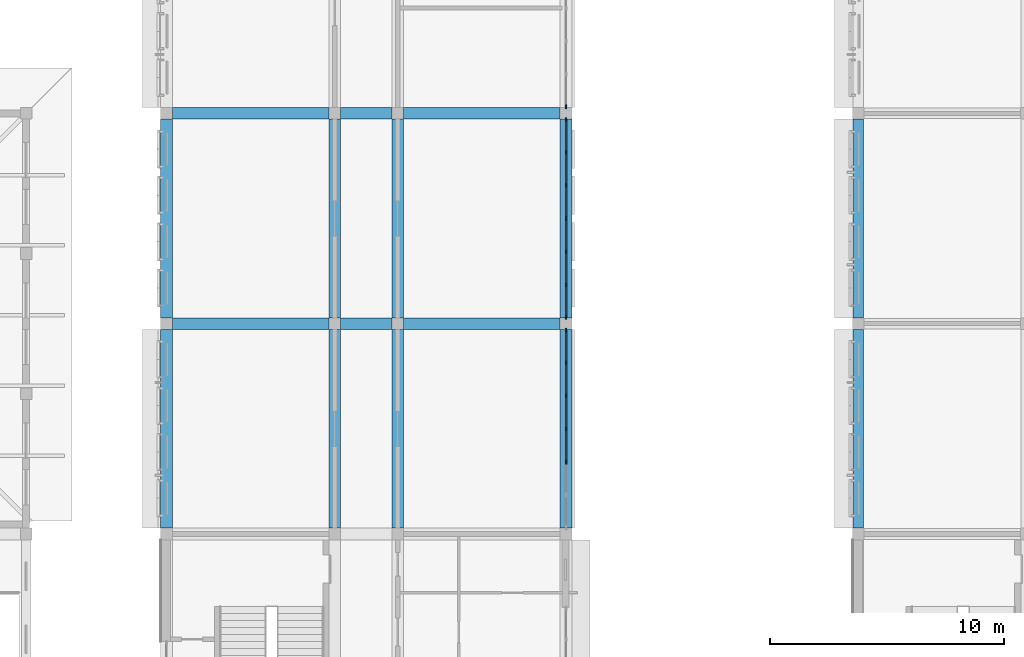
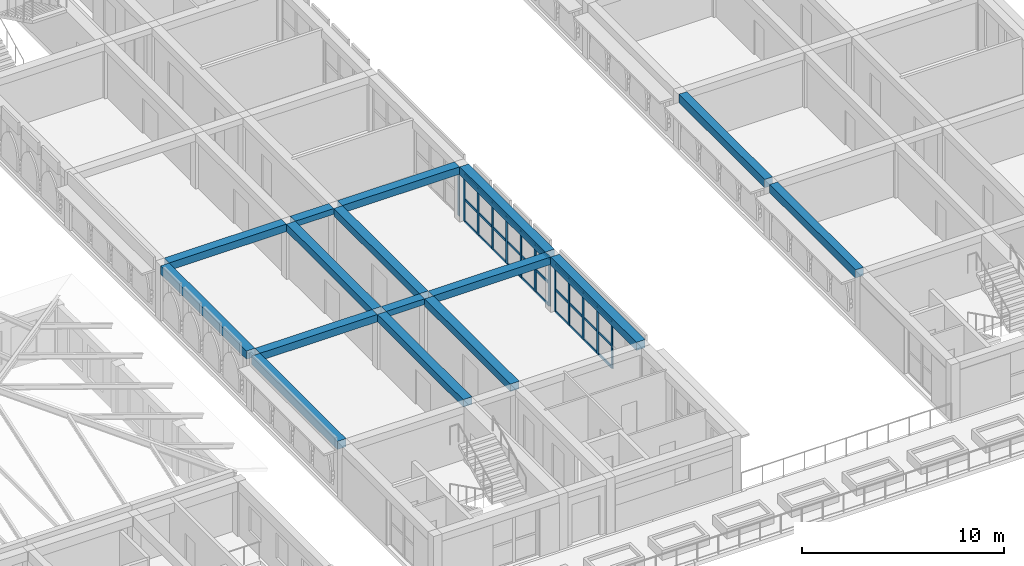
# One storey, part 16 of 82: 43 members, 16 beams, 3 elements without a shape of their own.
"""IFC4 building model written with IfcOpenShell, lengths in metres."""

from ifc_helpers import new_model, si_unit, direction, frame, origin, origin_2d, place, context, subcontext, project, spatial, rectangle, extrude, material, layer, layer_set, material_profile, profile_set, type_object, element, aggregate, save


model = new_model("IFC4")

# Units and contexts
model_context = context("Model", 3, precision=1e-05, world=origin(), true_north=direction((0.0, 1.0)))
body_context = subcontext(model_context, "Body", "Model", "MODEL_VIEW")
ifc_project = project(units=[si_unit("LENGTHUNIT", "METRE"), si_unit("AREAUNIT", "SQUARE_METRE"), si_unit("VOLUMEUNIT", "CUBIC_METRE"), si_unit("PLANEANGLEUNIT", "RADIAN"), si_unit("MASSUNIT", "GRAM", prefix="KILO")], contexts=[model_context])

# Site, building, storey
site_placement = place(None, origin())
site = spatial("IfcSite", under=ifc_project, at=site_placement, CompositionType="ELEMENT")
building_placement = place(site_placement, origin())
building = spatial("IfcBuilding", under=site, at=building_placement, Name="Elbe Cascade School", CompositionType="ELEMENT")
storey_placement = place(building_placement, frame((0.0, 0.0, 4.5)))
storey = spatial("IfcBuildingStorey", under=building, at=storey_placement, Name="L01", CompositionType="ELEMENT", Elevation=4.5)

# Curtain wall, members
ifc_material_1 = material(Name="Aluminium frame with double glazing, bronze anodised", Category="aluminium")
ifc_layer = layer(ifc_material_1, 0.179931640625)
ifc_layer_set = layer_set([ifc_layer], Name="Aluminium frame with double glazing, bronze anodised")
curtain_wall_type = type_object("IfcCurtainWallType", Name="Bars envelope Curtain wall, aluminium, bronze anodised, wide run", PredefinedType="NOTDEFINED", material=ifc_layer_set)
curtain_wall_1_placement = place(storey_placement, origin())
curtain_wall_1 = element("IfcCurtainWall", 1, at=curtain_wall_1_placement, inside=storey, type_object=curtain_wall_type, Name="Curtain wall CW5 A.L01.e2", PredefinedType="NOTDEFINED")
ifc_material_2 = material(Name="Aluminium mullion, bronze anodised", Category="aluminium")
ifc_material_profile_1 = material_profile(ifc_material_2, rectangle(XDim=0.06005859375, YDim=0.179931640625, at=origin_2d()), Name="Bars envelope Curtain wall mullion 60 x 180, aluminium, wide run")
ifc_profile_set_1 = profile_set([ifc_material_profile_1], Name="Aluminium mullion, bronze anodised")
member_type_1 = type_object("IfcMemberType", Name="Bars envelope Curtain wall mullion 60 x 180, aluminium, wide run", PredefinedType="MULLION", material=ifc_profile_set_1)
member_1_placement = place(storey_placement, frame((86.10009765625, 23.719970703125, 0.0), z_axis=(0.0, 0.0, 1.0), x_axis=(1.0, 0.0, 0.0)))
member_1 = element("IfcMember", 2, at=member_1_placement, type_object=member_type_1, Name="CW5 mullion 1", PredefinedType="MULLION", context=body_context, shape_type="SweptSolid", body=[
    extrude(rectangle(XDim=0.06005859375, YDim=0.179931640625, at=origin_2d()), origin(), (0.0, 0.0, 1.0), 2.85009765625),
])
member_2_placement = place(storey_placement, frame((86.10009765625, 22.333251953125, 0.0), z_axis=(0.0, 0.0, 1.0), x_axis=(1.0, 0.0, 0.0)))
member_2 = element("IfcMember", 3, at=member_2_placement, type_object=member_type_1, Name="CW5 mullion 2", PredefinedType="MULLION", context=body_context, shape_type="SweptSolid", body=[
    extrude(rectangle(XDim=0.06005859375, YDim=0.179931640625, at=origin_2d()), origin(), (0.0, 0.0, 1.0), 2.85009765625),
])
member_3_placement = place(storey_placement, frame((86.10009765625, 20.916748046875, 0.0), z_axis=(0.0, 0.0, 1.0), x_axis=(1.0, 0.0, 0.0)))
member_3 = element("IfcMember", 4, at=member_3_placement, type_object=member_type_1, Name="CW5 mullion 3", PredefinedType="MULLION", context=body_context, shape_type="SweptSolid", body=[
    extrude(rectangle(XDim=0.06005859375, YDim=0.179931640625, at=origin_2d()), origin(), (0.0, 0.0, 1.0), 2.85009765625),
])
member_4_placement = place(storey_placement, frame((86.10009765625, 19.5, 0.0), z_axis=(0.0, 0.0, 1.0), x_axis=(1.0, 0.0, 0.0)))
member_4 = element("IfcMember", 5, at=member_4_placement, type_object=member_type_1, Name="CW5 mullion 4", PredefinedType="MULLION", context=body_context, shape_type="SweptSolid", body=[
    extrude(rectangle(XDim=0.06005859375, YDim=0.179931640625, at=origin_2d()), origin(), (0.0, 0.0, 1.0), 2.85009765625),
])
member_5_placement = place(storey_placement, frame((86.10009765625, 18.083251953125, 0.0), z_axis=(0.0, 0.0, 1.0), x_axis=(1.0, 0.0, 0.0)))
member_5 = element("IfcMember", 6, at=member_5_placement, type_object=member_type_1, Name="CW5 mullion 5", PredefinedType="MULLION", context=body_context, shape_type="SweptSolid", body=[
    extrude(rectangle(XDim=0.06005859375, YDim=0.179931640625, at=origin_2d()), origin(), (0.0, 0.0, 1.0), 2.85009765625),
])

curtain_wall_2_placement = place(storey_placement, origin())
curtain_wall_2 = element("IfcCurtainWall", 7, at=curtain_wall_2_placement, inside=storey, type_object=curtain_wall_type, Name="Curtain wall CW5 A.L01.e3", PredefinedType="NOTDEFINED")
member_6_placement = place(storey_placement, frame((86.10009765625, 32.719970703125, 0.0), z_axis=(0.0, 0.0, 1.0), x_axis=(1.0, 0.0, 0.0)))
member_6 = element("IfcMember", 8, at=member_6_placement, type_object=member_type_1, Name="CW5 mullion 1", PredefinedType="MULLION", context=body_context, shape_type="SweptSolid", body=[
    extrude(rectangle(XDim=0.06005859375, YDim=0.179931640625, at=origin_2d()), origin(), (0.0, 0.0, 1.0), 2.85009765625),
])
member_7_placement = place(storey_placement, frame((86.10009765625, 31.333251953125, 0.0), z_axis=(0.0, 0.0, 1.0), x_axis=(1.0, 0.0, 0.0)))
member_7 = element("IfcMember", 9, at=member_7_placement, type_object=member_type_1, Name="CW5 mullion 2", PredefinedType="MULLION", context=body_context, shape_type="SweptSolid", body=[
    extrude(rectangle(XDim=0.06005859375, YDim=0.179931640625, at=origin_2d()), origin(), (0.0, 0.0, 1.0), 2.85009765625),
])
member_8_placement = place(storey_placement, frame((86.10009765625, 29.916748046875, 0.0), z_axis=(0.0, 0.0, 1.0), x_axis=(1.0, 0.0, 0.0)))
member_8 = element("IfcMember", 10, at=member_8_placement, type_object=member_type_1, Name="CW5 mullion 3", PredefinedType="MULLION", context=body_context, shape_type="SweptSolid", body=[
    extrude(rectangle(XDim=0.06005859375, YDim=0.179931640625, at=origin_2d()), origin(), (0.0, 0.0, 1.0), 2.85009765625),
])
member_9_placement = place(storey_placement, frame((86.10009765625, 28.5, 0.0), z_axis=(0.0, 0.0, 1.0), x_axis=(1.0, 0.0, 0.0)))
member_9 = element("IfcMember", 11, at=member_9_placement, type_object=member_type_1, Name="CW5 mullion 4", PredefinedType="MULLION", context=body_context, shape_type="SweptSolid", body=[
    extrude(rectangle(XDim=0.06005859375, YDim=0.179931640625, at=origin_2d()), origin(), (0.0, 0.0, 1.0), 2.85009765625),
])
member_10_placement = place(storey_placement, frame((86.10009765625, 27.083251953125, 0.0), z_axis=(0.0, 0.0, 1.0), x_axis=(1.0, 0.0, 0.0)))
member_10 = element("IfcMember", 12, at=member_10_placement, type_object=member_type_1, Name="CW5 mullion 5", PredefinedType="MULLION", context=body_context, shape_type="SweptSolid", body=[
    extrude(rectangle(XDim=0.06005859375, YDim=0.179931640625, at=origin_2d()), origin(), (0.0, 0.0, 1.0), 2.85009765625),
])
member_11_placement = place(storey_placement, frame((86.10009765625, 25.666748046875, 0.0), z_axis=(0.0, 0.0, 1.0), x_axis=(1.0, 0.0, 0.0)))
member_11 = element("IfcMember", 13, at=member_11_placement, type_object=member_type_1, Name="CW5 mullion 6", PredefinedType="MULLION", context=body_context, shape_type="SweptSolid", body=[
    extrude(rectangle(XDim=0.06005859375, YDim=0.179931640625, at=origin_2d()), origin(), (0.0, 0.0, 1.0), 2.85009765625),
])
member_12_placement = place(storey_placement, frame((86.10009765625, 24.280029296875, 0.0), z_axis=(0.0, 0.0, 1.0), x_axis=(1.0, 0.0, 0.0)))
member_12 = element("IfcMember", 14, at=member_12_placement, type_object=member_type_1, Name="CW5 mullion 7", PredefinedType="MULLION", context=body_context, shape_type="SweptSolid", body=[
    extrude(rectangle(XDim=0.06005859375, YDim=0.179931640625, at=origin_2d()), origin(), (0.0, 0.0, 1.0), 2.85009765625),
])

# Curtain wall, member
curtain_wall_3_placement = place(storey_placement, origin())
curtain_wall_3 = element("IfcCurtainWall", 15, at=curtain_wall_3_placement, inside=storey, type_object=curtain_wall_type, Name="Curtain wall CW5 A.L01.e4", PredefinedType="NOTDEFINED")
member_13_placement = place(storey_placement, frame((86.10009765625, 33.280029296875, 0.0), z_axis=(0.0, 0.0, 1.0), x_axis=(1.0, 0.0, 0.0)))
member_13 = element("IfcMember", 16, at=member_13_placement, type_object=member_type_1, Name="CW5 mullion 7", PredefinedType="MULLION", context=body_context, shape_type="SweptSolid", body=[
    extrude(rectangle(XDim=0.06005859375, YDim=0.179931640625, at=origin_2d()), origin(), (0.0, 0.0, 1.0), 2.85009765625),
])
aggregate(curtain_wall_3, [member_13])

# Member
ifc_material_3 = material(Name="Aluminium transom, bronze anodised", Category="aluminium")
ifc_material_profile_2 = material_profile(ifc_material_3, rectangle(XDim=0.06005859375, YDim=0.14990234375, at=origin_2d()), Name="Bars envelope Curtain wall transom 60 x 150, aluminium, wide run")
ifc_profile_set_2 = profile_set([ifc_material_profile_2], Name="Aluminium transom, bronze anodised")
member_type_2 = type_object("IfcMemberType", Name="Bars envelope Curtain wall transom 60 x 150, aluminium, wide run", PredefinedType="USERDEFINED", material=ifc_profile_set_2)
member_14_placement = place(storey_placement, frame((86.10009765625, 23.68994140625, 0.030029296875), z_axis=(0.0, -1.0, 0.0), x_axis=(1.0, 0.0, 0.0)))
member_14 = element("IfcMember", 17, at=member_14_placement, type_object=member_type_2, Name="CW5 transom 1.1", ObjectType="TRANSOM", PredefinedType="USERDEFINED", context=body_context, shape_type="SweptSolid", body=[
    extrude(rectangle(XDim=0.06005859375, YDim=0.14990234375, at=origin_2d()), origin(), (0.0, 0.0, 1.0), 1.32666015625),
])

member_15_placement = place(storey_placement, frame((86.10009765625, 23.68994140625, 1.35009765625), z_axis=(0.0, -1.0, 0.0), x_axis=(1.0, 0.0, 0.0)))
member_15 = element("IfcMember", 18, at=member_15_placement, type_object=member_type_2, Name="CW5 transom 1.2", ObjectType="TRANSOM", PredefinedType="USERDEFINED", context=body_context, shape_type="SweptSolid", body=[
    extrude(rectangle(XDim=0.06005859375, YDim=0.14990234375, at=origin_2d()), origin(), (0.0, 0.0, 1.0), 1.32666015625),
])

member_16_placement = place(storey_placement, frame((86.10009765625, 23.68994140625, 2.820068359375), z_axis=(0.0, -1.0, 0.0), x_axis=(1.0, 0.0, 0.0)))
member_16 = element("IfcMember", 19, at=member_16_placement, type_object=member_type_2, Name="CW5 transom 1.3", ObjectType="TRANSOM", PredefinedType="USERDEFINED", context=body_context, shape_type="SweptSolid", body=[
    extrude(rectangle(XDim=0.06005859375, YDim=0.14990234375, at=origin_2d()), origin(), (0.0, 0.0, 1.0), 1.32666015625),
])

member_17_placement = place(storey_placement, frame((86.10009765625, 22.30322265625, 0.030029296875), z_axis=(0.0, -1.0, 0.0), x_axis=(1.0, 0.0, 0.0)))
member_17 = element("IfcMember", 20, at=member_17_placement, type_object=member_type_2, Name="CW5 transom 2.1", ObjectType="TRANSOM", PredefinedType="USERDEFINED", context=body_context, shape_type="SweptSolid", body=[
    extrude(rectangle(XDim=0.06005859375, YDim=0.14990234375, at=origin_2d()), origin(), (0.0, 0.0, 1.0), 1.3564453125),
])

member_18_placement = place(storey_placement, frame((86.10009765625, 22.30322265625, 1.35009765625), z_axis=(0.0, -1.0, 0.0), x_axis=(1.0, 0.0, 0.0)))
member_18 = element("IfcMember", 21, at=member_18_placement, type_object=member_type_2, Name="CW5 transom 2.2", ObjectType="TRANSOM", PredefinedType="USERDEFINED", context=body_context, shape_type="SweptSolid", body=[
    extrude(rectangle(XDim=0.06005859375, YDim=0.14990234375, at=origin_2d()), origin(), (0.0, 0.0, 1.0), 1.3564453125),
])

member_19_placement = place(storey_placement, frame((86.10009765625, 22.30322265625, 2.820068359375), z_axis=(0.0, -1.0, 0.0), x_axis=(1.0, 0.0, 0.0)))
member_19 = element("IfcMember", 22, at=member_19_placement, type_object=member_type_2, Name="CW5 transom 2.3", ObjectType="TRANSOM", PredefinedType="USERDEFINED", context=body_context, shape_type="SweptSolid", body=[
    extrude(rectangle(XDim=0.06005859375, YDim=0.14990234375, at=origin_2d()), origin(), (0.0, 0.0, 1.0), 1.3564453125),
])

member_20_placement = place(storey_placement, frame((86.10009765625, 20.88671875, 0.030029296875), z_axis=(0.0, -1.0, 0.0), x_axis=(1.0, 0.0, 0.0)))
member_20 = element("IfcMember", 23, at=member_20_placement, type_object=member_type_2, Name="CW5 transom 3.1", ObjectType="TRANSOM", PredefinedType="USERDEFINED", context=body_context, shape_type="SweptSolid", body=[
    extrude(rectangle(XDim=0.06005859375, YDim=0.14990234375, at=origin_2d()), origin(), (0.0, 0.0, 1.0), 1.356689453125),
])

member_21_placement = place(storey_placement, frame((86.10009765625, 20.88671875, 1.35009765625), z_axis=(0.0, -1.0, 0.0), x_axis=(1.0, 0.0, 0.0)))
member_21 = element("IfcMember", 24, at=member_21_placement, type_object=member_type_2, Name="CW5 transom 3.2", ObjectType="TRANSOM", PredefinedType="USERDEFINED", context=body_context, shape_type="SweptSolid", body=[
    extrude(rectangle(XDim=0.06005859375, YDim=0.14990234375, at=origin_2d()), origin(), (0.0, 0.0, 1.0), 1.356689453125),
])

member_22_placement = place(storey_placement, frame((86.10009765625, 20.88671875, 2.820068359375), z_axis=(0.0, -1.0, 0.0), x_axis=(1.0, 0.0, 0.0)))
member_22 = element("IfcMember", 25, at=member_22_placement, type_object=member_type_2, Name="CW5 transom 3.3", ObjectType="TRANSOM", PredefinedType="USERDEFINED", context=body_context, shape_type="SweptSolid", body=[
    extrude(rectangle(XDim=0.06005859375, YDim=0.14990234375, at=origin_2d()), origin(), (0.0, 0.0, 1.0), 1.356689453125),
])

member_23_placement = place(storey_placement, frame((86.10009765625, 19.469970703125, 0.030029296875), z_axis=(0.0, -1.0, 0.0), x_axis=(1.0, 0.0, 0.0)))
member_23 = element("IfcMember", 26, at=member_23_placement, type_object=member_type_2, Name="CW5 transom 4.1", ObjectType="TRANSOM", PredefinedType="USERDEFINED", context=body_context, shape_type="SweptSolid", body=[
    extrude(rectangle(XDim=0.06005859375, YDim=0.14990234375, at=origin_2d()), origin(), (0.0, 0.0, 1.0), 1.356689453125),
])

member_24_placement = place(storey_placement, frame((86.10009765625, 19.469970703125, 1.35009765625), z_axis=(0.0, -1.0, 0.0), x_axis=(1.0, 0.0, 0.0)))
member_24 = element("IfcMember", 27, at=member_24_placement, type_object=member_type_2, Name="CW5 transom 4.2", ObjectType="TRANSOM", PredefinedType="USERDEFINED", context=body_context, shape_type="SweptSolid", body=[
    extrude(rectangle(XDim=0.06005859375, YDim=0.14990234375, at=origin_2d()), origin(), (0.0, 0.0, 1.0), 1.356689453125),
])

member_25_placement = place(storey_placement, frame((86.10009765625, 19.469970703125, 2.820068359375), z_axis=(0.0, -1.0, 0.0), x_axis=(1.0, 0.0, 0.0)))
member_25 = element("IfcMember", 28, at=member_25_placement, type_object=member_type_2, Name="CW5 transom 4.3", ObjectType="TRANSOM", PredefinedType="USERDEFINED", context=body_context, shape_type="SweptSolid", body=[
    extrude(rectangle(XDim=0.06005859375, YDim=0.14990234375, at=origin_2d()), origin(), (0.0, 0.0, 1.0), 1.356689453125),
])

aggregate(curtain_wall_1, [member_1, member_2, member_3, member_4, member_5, member_14, member_15, member_16, member_17, member_18, member_19, member_20, member_21, member_22, member_23, member_24, member_25])

member_26_placement = place(storey_placement, frame((86.10009765625, 32.68994140625, 0.030029296875), z_axis=(0.0, -1.0, 0.0), x_axis=(1.0, 0.0, 0.0)))
member_26 = element("IfcMember", 29, at=member_26_placement, type_object=member_type_2, Name="CW5 transom 1.1", ObjectType="TRANSOM", PredefinedType="USERDEFINED", context=body_context, shape_type="SweptSolid", body=[
    extrude(rectangle(XDim=0.06005859375, YDim=0.14990234375, at=origin_2d()), origin(), (0.0, 0.0, 1.0), 1.32666015625),
])

member_27_placement = place(storey_placement, frame((86.10009765625, 32.68994140625, 1.35009765625), z_axis=(0.0, -1.0, 0.0), x_axis=(1.0, 0.0, 0.0)))
member_27 = element("IfcMember", 30, at=member_27_placement, type_object=member_type_2, Name="CW5 transom 1.2", ObjectType="TRANSOM", PredefinedType="USERDEFINED", context=body_context, shape_type="SweptSolid", body=[
    extrude(rectangle(XDim=0.06005859375, YDim=0.14990234375, at=origin_2d()), origin(), (0.0, 0.0, 1.0), 1.32666015625),
])

member_28_placement = place(storey_placement, frame((86.10009765625, 32.68994140625, 2.820068359375), z_axis=(0.0, -1.0, 0.0), x_axis=(1.0, 0.0, 0.0)))
member_28 = element("IfcMember", 31, at=member_28_placement, type_object=member_type_2, Name="CW5 transom 1.3", ObjectType="TRANSOM", PredefinedType="USERDEFINED", context=body_context, shape_type="SweptSolid", body=[
    extrude(rectangle(XDim=0.06005859375, YDim=0.14990234375, at=origin_2d()), origin(), (0.0, 0.0, 1.0), 1.32666015625),
])

member_29_placement = place(storey_placement, frame((86.10009765625, 31.30322265625, 0.030029296875), z_axis=(0.0, -1.0, 0.0), x_axis=(1.0, 0.0, 0.0)))
member_29 = element("IfcMember", 32, at=member_29_placement, type_object=member_type_2, Name="CW5 transom 2.1", ObjectType="TRANSOM", PredefinedType="USERDEFINED", context=body_context, shape_type="SweptSolid", body=[
    extrude(rectangle(XDim=0.06005859375, YDim=0.14990234375, at=origin_2d()), origin(), (0.0, 0.0, 1.0), 1.3564453125),
])

member_30_placement = place(storey_placement, frame((86.10009765625, 31.30322265625, 1.35009765625), z_axis=(0.0, -1.0, 0.0), x_axis=(1.0, 0.0, 0.0)))
member_30 = element("IfcMember", 33, at=member_30_placement, type_object=member_type_2, Name="CW5 transom 2.2", ObjectType="TRANSOM", PredefinedType="USERDEFINED", context=body_context, shape_type="SweptSolid", body=[
    extrude(rectangle(XDim=0.06005859375, YDim=0.14990234375, at=origin_2d()), origin(), (0.0, 0.0, 1.0), 1.3564453125),
])

member_31_placement = place(storey_placement, frame((86.10009765625, 31.30322265625, 2.820068359375), z_axis=(0.0, -1.0, 0.0), x_axis=(1.0, 0.0, 0.0)))
member_31 = element("IfcMember", 34, at=member_31_placement, type_object=member_type_2, Name="CW5 transom 2.3", ObjectType="TRANSOM", PredefinedType="USERDEFINED", context=body_context, shape_type="SweptSolid", body=[
    extrude(rectangle(XDim=0.06005859375, YDim=0.14990234375, at=origin_2d()), origin(), (0.0, 0.0, 1.0), 1.3564453125),
])

member_32_placement = place(storey_placement, frame((86.10009765625, 29.88671875, 0.030029296875), z_axis=(0.0, -1.0, 0.0), x_axis=(1.0, 0.0, 0.0)))
member_32 = element("IfcMember", 35, at=member_32_placement, type_object=member_type_2, Name="CW5 transom 3.1", ObjectType="TRANSOM", PredefinedType="USERDEFINED", context=body_context, shape_type="SweptSolid", body=[
    extrude(rectangle(XDim=0.06005859375, YDim=0.14990234375, at=origin_2d()), origin(), (0.0, 0.0, 1.0), 1.356689453125),
])

member_33_placement = place(storey_placement, frame((86.10009765625, 29.88671875, 1.35009765625), z_axis=(0.0, -1.0, 0.0), x_axis=(1.0, 0.0, 0.0)))
member_33 = element("IfcMember", 36, at=member_33_placement, type_object=member_type_2, Name="CW5 transom 3.2", ObjectType="TRANSOM", PredefinedType="USERDEFINED", context=body_context, shape_type="SweptSolid", body=[
    extrude(rectangle(XDim=0.06005859375, YDim=0.14990234375, at=origin_2d()), origin(), (0.0, 0.0, 1.0), 1.356689453125),
])

member_34_placement = place(storey_placement, frame((86.10009765625, 29.88671875, 2.820068359375), z_axis=(0.0, -1.0, 0.0), x_axis=(1.0, 0.0, 0.0)))
member_34 = element("IfcMember", 37, at=member_34_placement, type_object=member_type_2, Name="CW5 transom 3.3", ObjectType="TRANSOM", PredefinedType="USERDEFINED", context=body_context, shape_type="SweptSolid", body=[
    extrude(rectangle(XDim=0.06005859375, YDim=0.14990234375, at=origin_2d()), origin(), (0.0, 0.0, 1.0), 1.356689453125),
])

member_35_placement = place(storey_placement, frame((86.10009765625, 28.469970703125, 0.030029296875), z_axis=(0.0, -1.0, 0.0), x_axis=(1.0, 0.0, 0.0)))
member_35 = element("IfcMember", 38, at=member_35_placement, type_object=member_type_2, Name="CW5 transom 4.1", ObjectType="TRANSOM", PredefinedType="USERDEFINED", context=body_context, shape_type="SweptSolid", body=[
    extrude(rectangle(XDim=0.06005859375, YDim=0.14990234375, at=origin_2d()), origin(), (0.0, 0.0, 1.0), 1.356689453125),
])

member_36_placement = place(storey_placement, frame((86.10009765625, 28.469970703125, 1.35009765625), z_axis=(0.0, -1.0, 0.0), x_axis=(1.0, 0.0, 0.0)))
member_36 = element("IfcMember", 39, at=member_36_placement, type_object=member_type_2, Name="CW5 transom 4.2", ObjectType="TRANSOM", PredefinedType="USERDEFINED", context=body_context, shape_type="SweptSolid", body=[
    extrude(rectangle(XDim=0.06005859375, YDim=0.14990234375, at=origin_2d()), origin(), (0.0, 0.0, 1.0), 1.356689453125),
])

member_37_placement = place(storey_placement, frame((86.10009765625, 28.469970703125, 2.820068359375), z_axis=(0.0, -1.0, 0.0), x_axis=(1.0, 0.0, 0.0)))
member_37 = element("IfcMember", 40, at=member_37_placement, type_object=member_type_2, Name="CW5 transom 4.3", ObjectType="TRANSOM", PredefinedType="USERDEFINED", context=body_context, shape_type="SweptSolid", body=[
    extrude(rectangle(XDim=0.06005859375, YDim=0.14990234375, at=origin_2d()), origin(), (0.0, 0.0, 1.0), 1.356689453125),
])

member_38_placement = place(storey_placement, frame((86.10009765625, 27.05322265625, 0.030029296875), z_axis=(0.0, -1.0, 0.0), x_axis=(1.0, 0.0, 0.0)))
member_38 = element("IfcMember", 41, at=member_38_placement, type_object=member_type_2, Name="CW5 transom 5.1", ObjectType="TRANSOM", PredefinedType="USERDEFINED", context=body_context, shape_type="SweptSolid", body=[
    extrude(rectangle(XDim=0.06005859375, YDim=0.14990234375, at=origin_2d()), origin(), (0.0, 0.0, 1.0), 1.3564453125),
])

member_39_placement = place(storey_placement, frame((86.10009765625, 27.05322265625, 1.35009765625), z_axis=(0.0, -1.0, 0.0), x_axis=(1.0, 0.0, 0.0)))
member_39 = element("IfcMember", 42, at=member_39_placement, type_object=member_type_2, Name="CW5 transom 5.2", ObjectType="TRANSOM", PredefinedType="USERDEFINED", context=body_context, shape_type="SweptSolid", body=[
    extrude(rectangle(XDim=0.06005859375, YDim=0.14990234375, at=origin_2d()), origin(), (0.0, 0.0, 1.0), 1.3564453125),
])

member_40_placement = place(storey_placement, frame((86.10009765625, 27.05322265625, 2.820068359375), z_axis=(0.0, -1.0, 0.0), x_axis=(1.0, 0.0, 0.0)))
member_40 = element("IfcMember", 43, at=member_40_placement, type_object=member_type_2, Name="CW5 transom 5.3", ObjectType="TRANSOM", PredefinedType="USERDEFINED", context=body_context, shape_type="SweptSolid", body=[
    extrude(rectangle(XDim=0.06005859375, YDim=0.14990234375, at=origin_2d()), origin(), (0.0, 0.0, 1.0), 1.3564453125),
])

member_41_placement = place(storey_placement, frame((86.10009765625, 25.63671875, 0.030029296875), z_axis=(0.0, -1.0, 0.0), x_axis=(1.0, 0.0, 0.0)))
member_41 = element("IfcMember", 44, at=member_41_placement, type_object=member_type_2, Name="CW5 transom 6.1", ObjectType="TRANSOM", PredefinedType="USERDEFINED", context=body_context, shape_type="SweptSolid", body=[
    extrude(rectangle(XDim=0.06005859375, YDim=0.14990234375, at=origin_2d()), origin(), (0.0, 0.0, 1.0), 1.32666015625),
])

member_42_placement = place(storey_placement, frame((86.10009765625, 25.63671875, 1.35009765625), z_axis=(0.0, -1.0, 0.0), x_axis=(1.0, 0.0, 0.0)))
member_42 = element("IfcMember", 45, at=member_42_placement, type_object=member_type_2, Name="CW5 transom 6.2", ObjectType="TRANSOM", PredefinedType="USERDEFINED", context=body_context, shape_type="SweptSolid", body=[
    extrude(rectangle(XDim=0.06005859375, YDim=0.14990234375, at=origin_2d()), origin(), (0.0, 0.0, 1.0), 1.32666015625),
])

member_43_placement = place(storey_placement, frame((86.10009765625, 25.63671875, 2.820068359375), z_axis=(0.0, -1.0, 0.0), x_axis=(1.0, 0.0, 0.0)))
member_43 = element("IfcMember", 46, at=member_43_placement, type_object=member_type_2, Name="CW5 transom 6.3", ObjectType="TRANSOM", PredefinedType="USERDEFINED", context=body_context, shape_type="SweptSolid", body=[
    extrude(rectangle(XDim=0.06005859375, YDim=0.14990234375, at=origin_2d()), origin(), (0.0, 0.0, 1.0), 1.32666015625),
])

aggregate(curtain_wall_2, [member_6, member_7, member_8, member_9, member_10, member_11, member_12, member_26, member_27, member_28, member_29, member_30, member_31, member_32, member_33, member_34, member_35, member_36, member_37, member_38, member_39, member_40, member_41, member_42, member_43])

# Beams
ifc_material_4 = material(Name="Concrete C30/37", Category="concrete")
ifc_material_profile_3 = material_profile(ifc_material_4, rectangle(XDim=0.449951171875, YDim=0.5, at=origin_2d()), Name="RC 450x500")
ifc_profile_set_3 = profile_set([ifc_material_profile_3], Name="Concrete C30/37")
beam_type_1 = type_object("IfcBeamType", Name="RC 450x500 beam", PredefinedType="BEAM", material=ifc_profile_set_3)
for number, where, z_axis, x_axis, name in (
    (47, (98.60009765625, 15.25, 3.10009765625), (0.0, 1.0, 0.0), (-1.0, 0.0, 0.0), "RC 450x500 beam B9"),
    (48, (98.60009765625, 24.25, 3.10009765625), (0.0, 1.0, 0.0), (-1.0, 0.0, 0.0), "RC 450x500 beam B9"),
):
    element("IfcBeam", number, at=place(storey_placement, frame(where, z_axis=z_axis, x_axis=x_axis)), inside=storey, type_object=beam_type_1, Name=name, PredefinedType="BEAM", context=body_context, shape_type="SweptSolid", body=[
        extrude(rectangle(XDim=0.449951171875, YDim=0.5, at=origin_2d()), origin(), (0.0, 0.0, 1.0), 8.5),
    ])
ifc_material_5 = material(Name="Concrete C30/37", Category="concrete")
ifc_material_profile_4 = material_profile(ifc_material_5, rectangle(XDim=0.5, YDim=0.35009765625, at=origin_2d()), Name="RC 500x350")
ifc_profile_set_4 = profile_set([ifc_material_profile_4], Name="Concrete C30/37")
beam_type_2 = type_object("IfcBeamType", Name="RC 500x350 beam", PredefinedType="BEAM", material=ifc_profile_set_4)
for number, where, z_axis, x_axis, name in (
    (49, (76.449951171875, 24.0, 3.175048828125), (1.0, 0.0, 0.0), (0.0, 1.0, 0.0), "RC 500x350 beam B8"),
    (50, (76.449951171875, 33.0, 3.175048828125), (1.0, 0.0, 0.0), (0.0, 1.0, 0.0), "RC 500x350 beam B8"),
):
    element("IfcBeam", number, at=place(storey_placement, frame(where, z_axis=z_axis, x_axis=x_axis)), inside=storey, type_object=beam_type_2, Name=name, PredefinedType="BEAM", context=body_context, shape_type="SweptSolid", body=[
        extrude(rectangle(XDim=0.5, YDim=0.35009765625, at=origin_2d()), origin(), (0.0, 0.0, 1.0), 2.199951171875),
    ])
ifc_material_6 = material(Name="Concrete C30/37", Category="concrete")
ifc_material_profile_5 = material_profile(ifc_material_6, rectangle(XDim=0.5, YDim=0.449951171875, at=origin_2d()), Name="RC 500x450")
ifc_profile_set_5 = profile_set([ifc_material_profile_5], Name="Concrete C30/37")
beam_type_3 = type_object("IfcBeamType", Name="RC 500x450 beam", PredefinedType="BEAM", material=ifc_profile_set_5)
for number, where, z_axis, x_axis, name in (
    (51, (76.199951171875, 15.25, 3.125), (0.0, 1.0, 0.0), (-1.0, 0.0, 0.0), "RC 500x450 beam B7"),
    (52, (76.199951171875, 24.25, 3.125), (0.0, 1.0, 0.0), (-1.0, 0.0, 0.0), "RC 500x450 beam B7"),
    (53, (78.89990234375, 15.25, 3.125), (0.0, 1.0, 0.0), (-1.0, 0.0, 0.0), "RC 500x450 beam B7"),
    (54, (78.89990234375, 24.25, 3.125), (0.0, 1.0, 0.0), (-1.0, 0.0, 0.0), "RC 500x450 beam B7"),
):
    element("IfcBeam", number, at=place(storey_placement, frame(where, z_axis=z_axis, x_axis=x_axis)), inside=storey, type_object=beam_type_3, Name=name, PredefinedType="BEAM", context=body_context, shape_type="SweptSolid", body=[
        extrude(rectangle(XDim=0.5, YDim=0.449951171875, at=origin_2d()), origin(), (0.0, 0.0, 1.0), 8.5),
    ])
beam_1_placement = place(storey_placement, frame((69.25, 24.0, 3.125), z_axis=(1.0, 0.0, 0.0), x_axis=(0.0, 1.0, 0.0)))
element("IfcBeam", 55, at=beam_1_placement, inside=storey, type_object=beam_type_3, Name="RC 500x450 beam B7", PredefinedType="BEAM", context=body_context, shape_type="SweptSolid", body=[
    extrude(rectangle(XDim=0.5, YDim=0.449951171875, at=origin_2d()), origin(), (0.0, 0.0, 1.0), 6.699951171875),
])
beam_2_placement = place(storey_placement, frame((79.14990234375, 24.0, 3.125), z_axis=(1.0, 0.0, 0.0), x_axis=(0.0, 1.0, 0.0)))
element("IfcBeam", 56, at=beam_2_placement, inside=storey, type_object=beam_type_3, Name="RC 500x450 beam B7", PredefinedType="BEAM", context=body_context, shape_type="SweptSolid", body=[
    extrude(rectangle(XDim=0.5, YDim=0.449951171875, at=origin_2d()), origin(), (0.0, 0.0, 1.0), 6.7001953125),
])
beam_3_placement = place(storey_placement, frame((69.25, 33.0, 3.125), z_axis=(1.0, 0.0, 0.0), x_axis=(0.0, 1.0, 0.0)))
element("IfcBeam", 57, at=beam_3_placement, inside=storey, type_object=beam_type_3, Name="RC 500x450 beam B7", PredefinedType="BEAM", context=body_context, shape_type="SweptSolid", body=[
    extrude(rectangle(XDim=0.5, YDim=0.449951171875, at=origin_2d()), origin(), (0.0, 0.0, 1.0), 6.699951171875),
])
beam_4_placement = place(storey_placement, frame((79.14990234375, 33.0, 3.125), z_axis=(1.0, 0.0, 0.0), x_axis=(0.0, 1.0, 0.0)))
element("IfcBeam", 58, at=beam_4_placement, inside=storey, type_object=beam_type_3, Name="RC 500x450 beam B7", PredefinedType="BEAM", context=body_context, shape_type="SweptSolid", body=[
    extrude(rectangle(XDim=0.5, YDim=0.449951171875, at=origin_2d()), origin(), (0.0, 0.0, 1.0), 6.7001953125),
])
ifc_material_7 = material(Name="Concrete C30/37", Category="concrete")
ifc_material_profile_6 = material_profile(ifc_material_7, rectangle(XDim=0.5, YDim=0.5, at=origin_2d()), Name="RC 500x500")
ifc_profile_set_6 = profile_set([ifc_material_profile_6], Name="Concrete C30/37")
beam_type_4 = type_object("IfcBeamType", Name="RC 500x500 beam", PredefinedType="BEAM", material=ifc_profile_set_6)
for number, where, z_axis, x_axis, name in (
    (59, (69.0, 15.25, 3.10009765625), (0.0, 1.0, 0.0), (-1.0, 0.0, 0.0), "RC 500x500 beam B6"),
    (60, (69.0, 24.25, 3.10009765625), (0.0, 1.0, 0.0), (-1.0, 0.0, 0.0), "RC 500x500 beam B6"),
    (61, (86.10009765625, 15.25, 3.10009765625), (0.0, 1.0, 0.0), (-1.0, 0.0, 0.0), "RC 500x500 beam B6"),
    (62, (86.10009765625, 24.25, 3.10009765625), (0.0, 1.0, 0.0), (-1.0, 0.0, 0.0), "RC 500x500 beam B6"),
):
    element("IfcBeam", number, at=place(storey_placement, frame(where, z_axis=z_axis, x_axis=x_axis)), inside=storey, type_object=beam_type_4, Name=name, PredefinedType="BEAM", context=body_context, shape_type="SweptSolid", body=[
        extrude(rectangle(XDim=0.5, YDim=0.5, at=origin_2d()), origin(), (0.0, 0.0, 1.0), 8.5),
    ])

save(model, "model.ifc")
